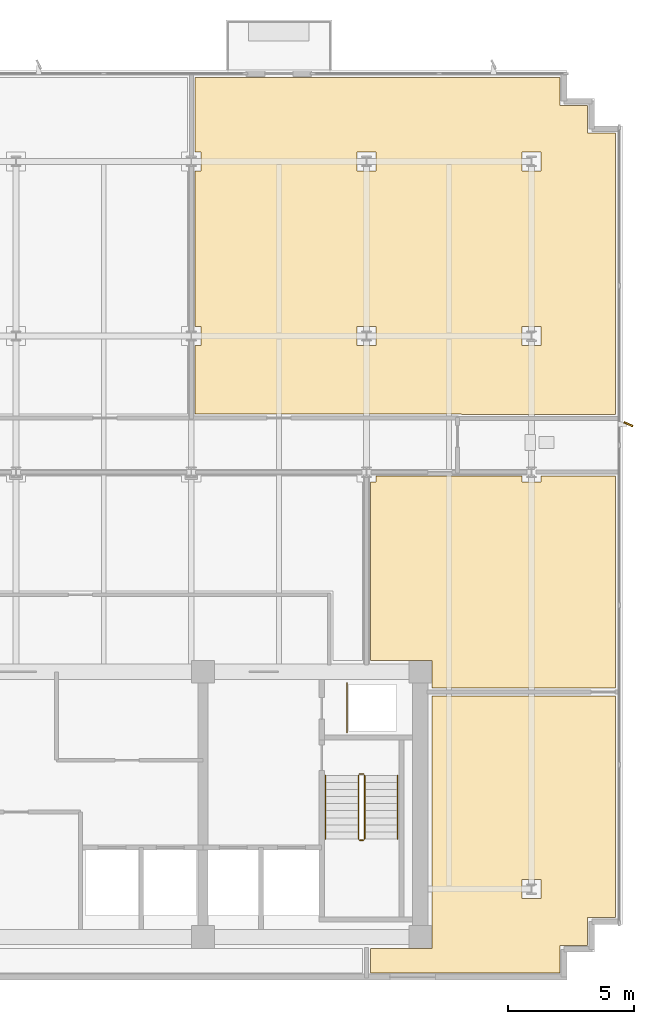
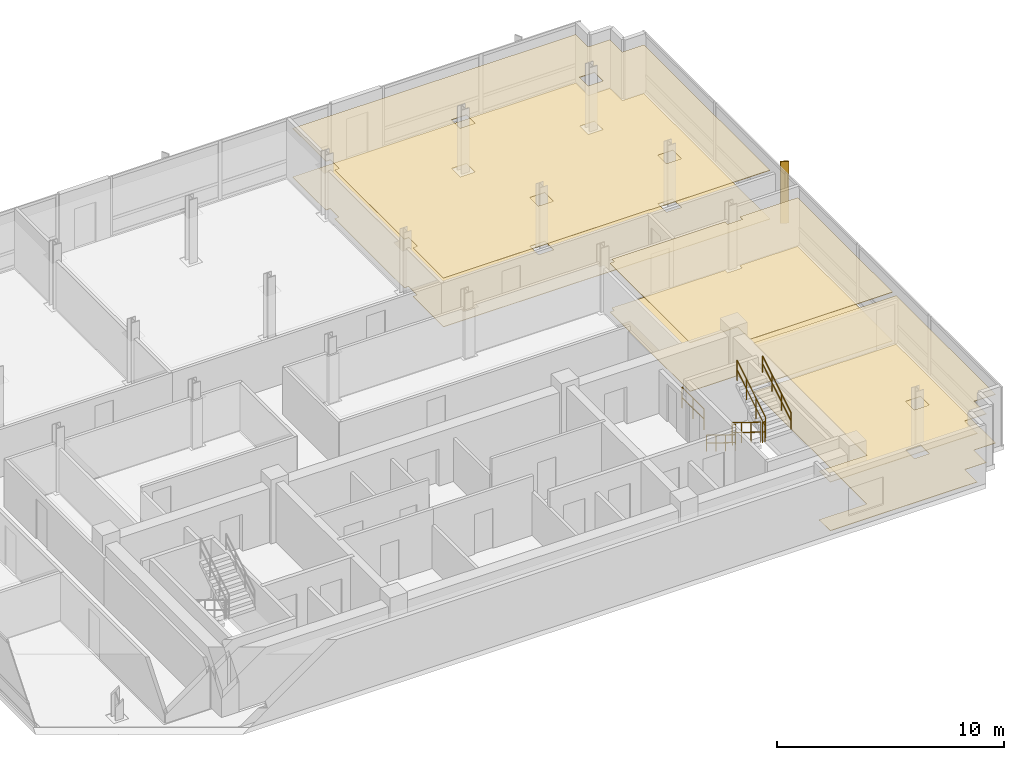
# One storey, part 13 of 15: 7 railings, 6 coverings, 1 shading device.
"""IFC4 building model written with IfcOpenShell, lengths in metres."""

from ifc_helpers import new_model, si_unit, direction, frame, origin, origin_2d, place, context, subcontext, project, spatial, polyline, rectangle, circle, outline, extrude, material, layer, layer_set, type_object, element, save


model = new_model("IFC4")

# Units and contexts
model_context = context("Model", 3, precision=1e-05, world=origin(), true_north=direction((0.0, 1.0)))
body_context = subcontext(model_context, "Body", "Model", "MODEL_VIEW")
ifc_project = project(units=[si_unit("LENGTHUNIT", "METRE"), si_unit("AREAUNIT", "SQUARE_METRE"), si_unit("VOLUMEUNIT", "CUBIC_METRE"), si_unit("PLANEANGLEUNIT", "RADIAN"), si_unit("MASSUNIT", "GRAM", prefix="KILO")], contexts=[model_context])

# Site, building, storey
site_placement = place(None, origin())
site = spatial("IfcSite", under=ifc_project, at=site_placement, CompositionType="ELEMENT")
building_placement = place(site_placement, origin())
building = spatial("IfcBuilding", under=site, at=building_placement, Name="Solmavex Isthmus Hotel", CompositionType="ELEMENT")
storey_placement = place(building_placement, frame((0.0, 0.0, 273.0)))
storey = spatial("IfcBuildingStorey", under=building, at=storey_placement, Name="L74", CompositionType="ELEMENT", Elevation=273.0)

# Coverings
ifc_material_1 = material(Name="Gypsum plasterboard lining", Category="gypsum")
ifc_layer_1 = layer(ifc_material_1, 0.030029296875)
ifc_layer_set_1 = layer_set([ifc_layer_1], Name="Gypsum plasterboard lining")
covering_type_1 = type_object("IfcCoveringType", Name="COV-CEIL-GYP", PredefinedType="CEILING", material=ifc_layer_set_1)
covering_1_placement = place(storey_placement, frame((0.0, 0.0, 2.6201171875)))
element("IfcCovering", 1, at=covering_1_placement, inside=storey, type_object=covering_type_1, Name="Suspended Acoustic Ceiling L74-RM03", PredefinedType="CEILING", context=body_context, shape_type="SweptSolid", body=[
    extrude(outline(polyline([(7.091064453125, 11.16796875), (7.31591796875, 11.16796875), (7.31591796875, 10.407958984375), (7.091064453125, 10.407958984375), (7.091064453125, 7.705078125), (17.626953125, 7.705078125), (17.626953125, 7.68505859375), (23.72509765625, 7.68505859375), (23.72509765625, 18.824951171875), (22.625, 18.824951171875), (22.625, 19.925048828125), (21.52490234375, 19.925048828125), (21.52490234375, 21.02490234375), (7.091064453125, 21.02490234375), (7.091064453125, 18.080078125), (7.31591796875, 18.080078125), (7.31591796875, 17.320068359375), (7.091064453125, 17.320068359375), (7.091064453125, 11.16796875)]), holes=[polyline([(20.02001953125, 10.407958984375), (20.02001953125, 11.16796875), (20.780029296875, 11.16796875), (20.780029296875, 10.407958984375), (20.02001953125, 10.407958984375)]), polyline([(20.02001953125, 17.320068359375), (20.02001953125, 18.080078125), (20.780029296875, 18.080078125), (20.780029296875, 17.320068359375), (20.02001953125, 17.320068359375)]), polyline([(13.491943359375, 10.407958984375), (13.491943359375, 11.16796875), (14.251953125, 11.16796875), (14.251953125, 10.407958984375), (13.491943359375, 10.407958984375)]), polyline([(13.491943359375, 17.320068359375), (13.491943359375, 18.080078125), (14.251953125, 18.080078125), (14.251953125, 17.320068359375), (13.491943359375, 17.320068359375)])]), origin(), (0.0, 0.0, 1.0), 0.02978515625),
])
covering_2_placement = place(storey_placement, frame((0.0, 0.0, 2.6201171875)))
element("IfcCovering", 2, at=covering_2_placement, inside=storey, type_object=covering_type_1, Name="Suspended Acoustic Ceiling L74-FL10", PredefinedType="CEILING", context=body_context, shape_type="SweptSolid", body=[
    extrude(outline(polyline([(14.251953125, 5.2451171875), (14.251953125, 5.02001953125), (14.027099609375, 5.02001953125), (14.027099609375, -2.044921875), (16.455078125, -2.044921875), (16.455078125, -3.14501953125), (23.72509765625, -3.14501953125), (23.72509765625, 5.2451171875), (20.780029296875, 5.2451171875), (20.780029296875, 5.02001953125), (20.02001953125, 5.02001953125), (20.02001953125, 5.2451171875), (14.251953125, 5.2451171875)])), origin(), (0.0, 0.0, 1.0), 0.02978515625),
])
covering_3_placement = place(storey_placement, frame((0.0, 0.0, 2.6201171875)))
element("IfcCovering", 3, at=covering_3_placement, inside=storey, type_object=covering_type_1, Name="Suspended Acoustic Ceiling L74-FL11", PredefinedType="CEILING", context=body_context, shape_type="SweptSolid", body=[
    extrude(outline(polyline([(21.52490234375, -14.425048828125), (21.52490234375, -13.324951171875), (22.625, -13.324951171875), (22.625, -12.22509765625), (23.72509765625, -12.22509765625), (23.72509765625, -3.455078125), (16.455078125, -3.455078125), (16.455078125, -13.455078125), (14.027099609375, -13.455078125), (14.027099609375, -14.425048828125), (21.52490234375, -14.425048828125)]), holes=[polyline([(20.02001953125, -11.47998046875), (20.02001953125, -10.719970703125), (20.780029296875, -10.719970703125), (20.780029296875, -11.47998046875), (20.02001953125, -11.47998046875)])]), origin(), (0.0, 0.0, 1.0), 0.02978515625),
])
ifc_material_2 = material(Name="Travertine natural stone", Category="masonry")
ifc_layer_2 = layer(ifc_material_2, 0.02490234375)
ifc_layer_set_2 = layer_set([ifc_layer_2], Name="Travertine natural stone")
covering_type_2 = type_object("IfcCoveringType", Name="COV-FLOR-STN", PredefinedType="FLOORING", material=ifc_layer_set_2)
covering_4_placement = place(storey_placement, origin())
element("IfcCovering", 4, at=covering_4_placement, inside=storey, type_object=covering_type_2, Name="Stone and Timber Floor Finish L74-RM03", PredefinedType="FLOORING", context=body_context, shape_type="SweptSolid", body=[
    extrude(outline(polyline([(7.091064453125, 11.16796875), (7.31591796875, 11.16796875), (7.31591796875, 10.407958984375), (7.091064453125, 10.407958984375), (7.091064453125, 7.705078125), (17.626953125, 7.705078125), (17.626953125, 7.68505859375), (23.72509765625, 7.68505859375), (23.72509765625, 18.824951171875), (22.625, 18.824951171875), (22.625, 19.925048828125), (21.52490234375, 19.925048828125), (21.52490234375, 21.02490234375), (7.091064453125, 21.02490234375), (7.091064453125, 18.080078125), (7.31591796875, 18.080078125), (7.31591796875, 17.320068359375), (7.091064453125, 17.320068359375), (7.091064453125, 11.16796875)]), holes=[polyline([(20.02001953125, 10.407958984375), (20.02001953125, 11.16796875), (20.780029296875, 11.16796875), (20.780029296875, 10.407958984375), (20.02001953125, 10.407958984375)]), polyline([(20.02001953125, 17.320068359375), (20.02001953125, 18.080078125), (20.780029296875, 18.080078125), (20.780029296875, 17.320068359375), (20.02001953125, 17.320068359375)]), polyline([(13.491943359375, 10.407958984375), (13.491943359375, 11.16796875), (14.251953125, 11.16796875), (14.251953125, 10.407958984375), (13.491943359375, 10.407958984375)]), polyline([(13.491943359375, 17.320068359375), (13.491943359375, 18.080078125), (14.251953125, 18.080078125), (14.251953125, 17.320068359375), (13.491943359375, 17.320068359375)])]), origin(), (0.0, 0.0, 1.0), 0.02490234375),
])
covering_5_placement = place(storey_placement, origin())
element("IfcCovering", 5, at=covering_5_placement, inside=storey, type_object=covering_type_2, Name="Stone and Timber Floor Finish L74-FL10", PredefinedType="FLOORING", context=body_context, shape_type="SweptSolid", body=[
    extrude(outline(polyline([(14.251953125, 5.2451171875), (14.251953125, 5.02001953125), (14.027099609375, 5.02001953125), (14.027099609375, -2.044921875), (16.455078125, -2.044921875), (16.455078125, -3.14501953125), (23.72509765625, -3.14501953125), (23.72509765625, 5.2451171875), (20.780029296875, 5.2451171875), (20.780029296875, 5.02001953125), (20.02001953125, 5.02001953125), (20.02001953125, 5.2451171875), (14.251953125, 5.2451171875)])), origin(), (0.0, 0.0, 1.0), 0.02490234375),
])
covering_6_placement = place(storey_placement, origin())
element("IfcCovering", 6, at=covering_6_placement, inside=storey, type_object=covering_type_2, Name="Stone and Timber Floor Finish L74-FL11", PredefinedType="FLOORING", context=body_context, shape_type="SweptSolid", body=[
    extrude(outline(polyline([(21.52490234375, -14.425048828125), (21.52490234375, -13.324951171875), (22.625, -13.324951171875), (22.625, -12.22509765625), (23.72509765625, -12.22509765625), (23.72509765625, -3.455078125), (16.455078125, -3.455078125), (16.455078125, -13.455078125), (14.027099609375, -13.455078125), (14.027099609375, -14.425048828125), (21.52490234375, -14.425048828125)]), holes=[polyline([(20.02001953125, -11.47998046875), (20.02001953125, -10.719970703125), (20.780029296875, -10.719970703125), (20.780029296875, -11.47998046875), (20.02001953125, -11.47998046875)])]), origin(), (0.0, 0.0, 1.0), 0.02490234375),
])

# Railings
ifc_material_3 = material(Name="Clear low-E laminated glass", Category="glass")
ifc_layer_3 = layer(ifc_material_3, 0.080078125)
ifc_layer_set_3 = layer_set([ifc_layer_3], Name="Clear low-E laminated glass")
railing_type_1 = type_object("IfcRailingType", Name="RAIL-ATRIUM-1120", PredefinedType="BALUSTRADE", material=ifc_layer_set_3)
railing_1_placement = place(storey_placement, frame((13.10009765625, -4.89990234375, 0.0)))
element("IfcRailing", 7, at=railing_1_placement, inside=storey, type_object=railing_type_1, Name="Guardrail Balustrade L74-RSE-01", PredefinedType="BALUSTRADE", context=body_context, shape_type="SweptSolid", body=[
    extrude(circle(Radius=0.02392578125, at=origin_2d()), frame((0.0, 0.0, 1.1259765625), z_axis=(0.0, 1.0, 0.0), x_axis=(-1.0, 0.0, 0.0)), (0.0, 0.0, 1.0), 1.949951171875),
    extrude(circle(Radius=0.02392578125, at=origin_2d()), frame((0.0, 0.0, 0.574951171875), z_axis=(0.0, 1.0, 0.0), x_axis=(-1.0, 0.0, 0.0)), (0.0, 0.0, 1.0), 1.949951171875),
    extrude(circle(Radius=0.02099609375, at=origin_2d()), origin(), (0.0, 0.0, 1.0), 1.101806640625),
    extrude(circle(Radius=0.02099609375, at=origin_2d()), frame((0.0, 0.97509765625, 0.0)), (0.0, 0.0, 1.0), 1.101806640625),
    extrude(circle(Radius=0.02099609375, at=origin_2d()), frame((0.0, 1.949951171875, 0.0)), (0.0, 0.0, 1.0), 1.101806640625),
])
ifc_material_4 = material(Name="Stainless steel 316", Category="steel")
ifc_layer_4 = layer(ifc_material_4, 0.06005859375)
ifc_layer_set_4 = layer_set([ifc_layer_4], Name="Stainless steel 316")
railing_type_2 = type_object("IfcRailingType", Name="RAIL-STAIR-GD", PredefinedType="GUARDRAIL", material=ifc_layer_set_4)
railing_2_placement = place(storey_placement, frame((13.550048828125, -6.60009765625, 0.172607421875)))
element("IfcRailing", 8, at=railing_2_placement, inside=storey, type_object=railing_type_2, Name="L74 ST-2 stair guard 1", PredefinedType="GUARDRAIL", context=body_context, shape_type="SweptSolid", body=[
    extrude(circle(Radius=0.02392578125, at=origin_2d()), frame((0.0, 0.0, 1.09619140625), z_axis=(0.0, -0.851400495292, 0.524516154772), x_axis=(1.0, 0.0, 0.0)), (0.0, 0.0, 1.0), 2.9599609375),
    extrude(circle(Radius=0.02392578125, at=origin_2d()), frame((0.0, 0.0, 0.56005859375), z_axis=(0.0, -0.851400495292, 0.524516154772), x_axis=(1.0, 0.0, 0.0)), (0.0, 0.0, 1.0), 2.9599609375),
    extrude(circle(Radius=0.02099609375, at=origin_2d()), origin(), (0.0, 0.0, 1.0), 1.072021484375),
    extrude(circle(Radius=0.02099609375, at=origin_2d()), frame((0.0, -0.840087890625, 0.517578125)), (0.0, 0.0, 1.0), 1.072021484375),
    extrude(circle(Radius=0.02099609375, at=origin_2d()), frame((0.0, -1.679931640625, 1.034912109375)), (0.0, 0.0, 1.0), 1.072021484375),
    extrude(circle(Radius=0.02099609375, at=origin_2d()), frame((0.0, -2.52001953125, 1.552490234375)), (0.0, 0.0, 1.0), 1.072021484375),
])
railing_3_placement = place(storey_placement, frame((13.60009765625, -9.169921875, 1.72509765625)))
element("IfcRailing", 9, at=railing_3_placement, inside=storey, type_object=railing_type_2, Name="L74 ST-2 stair guard 2", PredefinedType="GUARDRAIL", context=body_context, shape_type="SweptSolid", body=[
    extrude(circle(Radius=0.02392578125, at=origin_2d()), frame((0.0, 0.0, 1.09619140625), z_axis=(1.0, 0.0, 0.0), x_axis=(0.0, 1.0, 0.0)), (0.0, 0.0, 1.0), 0.14990234375),
    extrude(circle(Radius=0.02392578125, at=origin_2d()), frame((0.0, 0.0, 0.56005859375), z_axis=(1.0, 0.0, 0.0), x_axis=(0.0, 1.0, 0.0)), (0.0, 0.0, 1.0), 0.14990234375),
    extrude(circle(Radius=0.02099609375, at=origin_2d()), origin(), (0.0, 0.0, 1.0), 1.072021484375),
    extrude(circle(Radius=0.02099609375, at=origin_2d()), frame((0.14990234375, 0.0, 0.0)), (0.0, 0.0, 1.0), 1.072021484375),
])
railing_4_placement = place(storey_placement, frame((13.800048828125, -9.1201171875, 1.8974609375)))
element("IfcRailing", 10, at=railing_4_placement, inside=storey, type_object=railing_type_2, Name="L74 ST-2 stair guard 3", PredefinedType="GUARDRAIL", context=body_context, shape_type="SweptSolid", body=[
    extrude(circle(Radius=0.02392578125, at=origin_2d()), frame((0.0, 0.0, 1.09619140625), z_axis=(0.0, 0.851400495292, 0.524516154772), x_axis=(-1.0, 0.0, 0.0)), (0.0, 0.0, 1.0), 2.9599609375),
    extrude(circle(Radius=0.02392578125, at=origin_2d()), frame((0.0, 0.0, 0.56005859375), z_axis=(0.0, 0.851400495292, 0.524516154772), x_axis=(-1.0, 0.0, 0.0)), (0.0, 0.0, 1.0), 2.9599609375),
    extrude(circle(Radius=0.02099609375, at=origin_2d()), origin(), (0.0, 0.0, 1.0), 1.072021484375),
    extrude(circle(Radius=0.02099609375, at=origin_2d()), frame((0.0, 0.840087890625, 0.517578125)), (0.0, 0.0, 1.0), 1.072021484375),
    extrude(circle(Radius=0.02099609375, at=origin_2d()), frame((0.0, 1.679931640625, 1.034912109375)), (0.0, 0.0, 1.0), 1.072021484375),
    extrude(circle(Radius=0.02099609375, at=origin_2d()), frame((0.0, 2.52001953125, 1.552490234375)), (0.0, 0.0, 1.0), 1.072021484375),
])
railing_5_placement = place(storey_placement, frame((13.60009765625, -6.550048828125, 0.0)))
element("IfcRailing", 11, at=railing_5_placement, inside=storey, type_object=railing_type_2, Name="L74 ST-2 stair guard 4", PredefinedType="GUARDRAIL", context=body_context, shape_type="SweptSolid", body=[
    extrude(circle(Radius=0.02392578125, at=origin_2d()), frame((0.0, 0.0, 1.09619140625), z_axis=(1.0, 0.0, 0.0), x_axis=(0.0, 1.0, 0.0)), (0.0, 0.0, 1.0), 0.14990234375),
    extrude(circle(Radius=0.02392578125, at=origin_2d()), frame((0.0, 0.0, 0.56005859375), z_axis=(1.0, 0.0, 0.0), x_axis=(0.0, 1.0, 0.0)), (0.0, 0.0, 1.0), 0.14990234375),
    extrude(circle(Radius=0.02099609375, at=origin_2d()), origin(), (0.0, 0.0, 1.0), 1.072021484375),
    extrude(circle(Radius=0.02099609375, at=origin_2d()), frame((0.14990234375, 0.0, 0.0)), (0.0, 0.0, 1.0), 1.072021484375),
])
ifc_layer_5 = layer(ifc_material_4, 0.050048828125)
ifc_layer_set_5 = layer_set([ifc_layer_5], Name="Stainless steel 316")
railing_type_3 = type_object("IfcRailingType", Name="RAIL-STAIR-HR", PredefinedType="HANDRAIL", material=ifc_layer_set_5)
railing_6_placement = place(storey_placement, frame((12.25, -6.60009765625, 0.172607421875)))
element("IfcRailing", 12, at=railing_6_placement, inside=storey, type_object=railing_type_3, Name="L74 ST-2 stair handrail 1", PredefinedType="HANDRAIL", context=body_context, shape_type="SweptSolid", body=[
    extrude(circle(Radius=0.02392578125, at=origin_2d()), frame((0.0, 0.0, 0.8759765625), z_axis=(0.0, -0.851400495292, 0.524516154772), x_axis=(1.0, 0.0, 0.0)), (0.0, 0.0, 1.0), 2.9599609375),
    extrude(circle(Radius=0.02392578125, at=origin_2d()), frame((0.0, 0.0, 0.449951171875), z_axis=(0.0, -0.851400495292, 0.524516154772), x_axis=(1.0, 0.0, 0.0)), (0.0, 0.0, 1.0), 2.9599609375),
    extrude(circle(Radius=0.02099609375, at=origin_2d()), origin(), (0.0, 0.0, 1.0), 0.851806640625),
    extrude(circle(Radius=0.02099609375, at=origin_2d()), frame((0.0, -0.840087890625, 0.517578125)), (0.0, 0.0, 1.0), 0.851806640625),
    extrude(circle(Radius=0.02099609375, at=origin_2d()), frame((0.0, -1.679931640625, 1.034912109375)), (0.0, 0.0, 1.0), 0.851806640625),
    extrude(circle(Radius=0.02099609375, at=origin_2d()), frame((0.0, -2.52001953125, 1.552490234375)), (0.0, 0.0, 1.0), 0.851806640625),
])
railing_7_placement = place(storey_placement, frame((15.10009765625, -9.1201171875, 1.8974609375)))
element("IfcRailing", 13, at=railing_7_placement, inside=storey, type_object=railing_type_3, Name="L74 ST-2 stair handrail 2", PredefinedType="HANDRAIL", context=body_context, shape_type="SweptSolid", body=[
    extrude(circle(Radius=0.02392578125, at=origin_2d()), frame((0.0, 0.0, 0.8759765625), z_axis=(0.0, 0.851400495292, 0.524516154772), x_axis=(-1.0, 0.0, 0.0)), (0.0, 0.0, 1.0), 2.9599609375),
    extrude(circle(Radius=0.02392578125, at=origin_2d()), frame((0.0, 0.0, 0.449951171875), z_axis=(0.0, 0.851400495292, 0.524516154772), x_axis=(-1.0, 0.0, 0.0)), (0.0, 0.0, 1.0), 2.9599609375),
    extrude(circle(Radius=0.02099609375, at=origin_2d()), origin(), (0.0, 0.0, 1.0), 0.851806640625),
    extrude(circle(Radius=0.02099609375, at=origin_2d()), frame((0.0, 0.840087890625, 0.517578125)), (0.0, 0.0, 1.0), 0.851806640625),
    extrude(circle(Radius=0.02099609375, at=origin_2d()), frame((0.0, 1.679931640625, 1.034912109375)), (0.0, 0.0, 1.0), 0.851806640625),
    extrude(circle(Radius=0.02099609375, at=origin_2d()), frame((0.0, 2.52001953125, 1.552490234375)), (0.0, 0.0, 1.0), 0.851806640625),
])

# Shading device
ifc_material_5 = material(Name="Aluminium alloy 6063-T6", Category="aluminium")
shading_device_type = type_object("IfcShadingDeviceType", Name="SHD-FIN-CHAMP", PredefinedType="USERDEFINED", material=ifc_material_5)
shading_device_placement = place(storey_placement, frame((24.239990234375, 7.300048828125, -0.14013671875), z_axis=(0.0, 0.0, 1.0), x_axis=(0.913545457643, -0.406736643076, 0.0)))
element("IfcShadingDevice", 14, at=shading_device_placement, inside=storey, type_object=shading_device_type, Name="Anodised Aluminium Solar Fin L74-E1", ObjectType="SOLAR_FIN", PredefinedType="USERDEFINED", context=body_context, shape_type="SweptSolid", body=[
    extrude(rectangle(XDim=0.3798828125, YDim=0.070068359375, at=origin_2d()), origin(), (0.0, 0.0, 1.0), 3.330078125),
])

save(model, "model.ifc")
